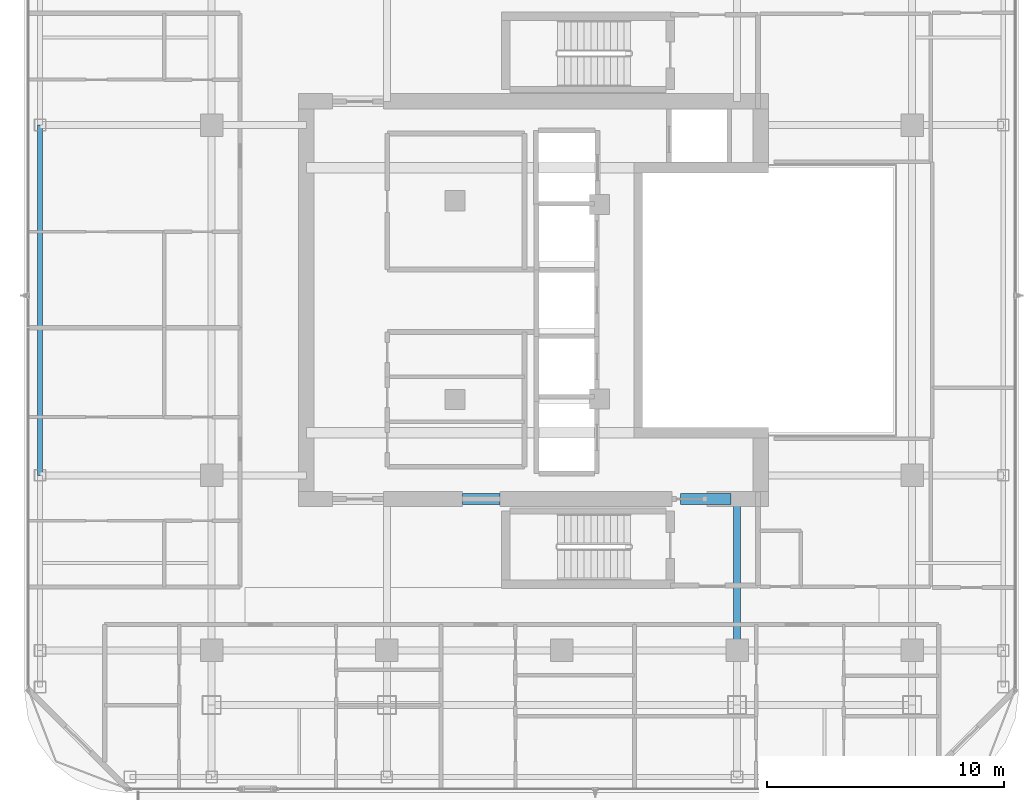
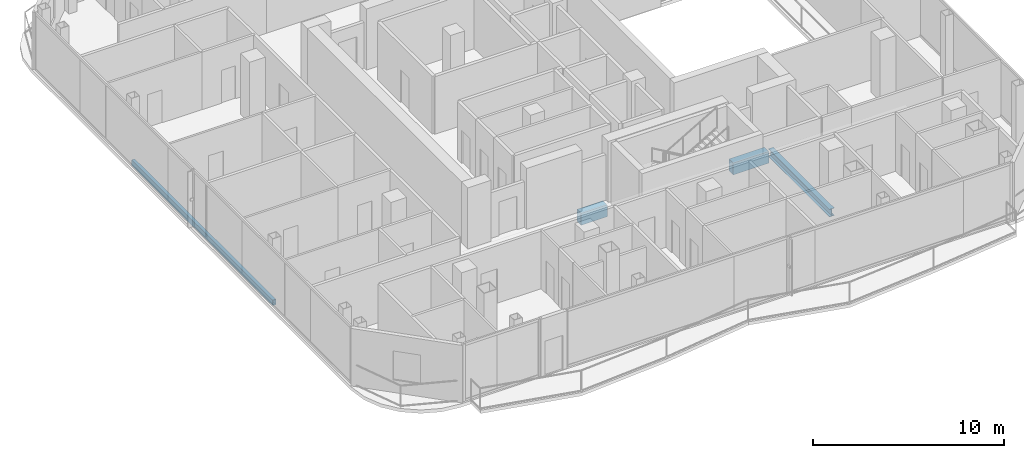
# One storey, part 5 of 26: 4 beams.
"""IFC4 building model written with IfcOpenShell, lengths in metres."""

import ifcopenshell
import ifcopenshell.guid

model = None  # the IFC model being written
_history = None  # IfcOwnerHistory: only IFC2X3 demands one
_inside = {}  # id of a spatial element -> (the spatial element, [elements in it])
_under = {}  # id of a project, library or spatial element -> (it, [spatial elements below it])
_declared = {}  # id of a project -> (the project, [libraries it declares])
_typed = {}  # id of a type object -> (the type object, [elements of that type])
_made_of = {}  # id of a material, layer set ... -> (it, [elements and type objects made of it])


def new_model(schema):
    """Start an empty IFC model of exactly this schema.

    Asked for "IFC4X3", IfcOpenShell would pick the latest addendum, in which some entities
    have other attributes; the version numbers below select the first issue.
    IFC2X3 requires an IfcOwnerHistory on every rooted entity: one is made here for all.
    """
    global model, _history
    if schema == "IFC4X3":
        model = ifcopenshell.file(schema_version=(4, 3, 0, 0))
    else:
        model = ifcopenshell.file(schema=schema)
    _inside.clear()
    _under.clear()
    _declared.clear()
    _typed.clear()
    _made_of.clear()
    _history = None
    if model.schema == "IFC2X3":
        org = make("IfcOrganization", Name="unknown")
        user = make(
            "IfcPersonAndOrganization",
            ThePerson=make("IfcPerson", FamilyName="unknown"),
            TheOrganization=org,
        )
        app = make(
            "IfcApplication",
            ApplicationDeveloper=org,
            Version="unknown",
            ApplicationFullName="unknown",
            ApplicationIdentifier="unknown",
        )
        _history = make(
            "IfcOwnerHistory",
            OwningUser=user,
            OwningApplication=app,
            ChangeAction="ADDED",
            CreationDate=0,
        )
    return model


def make(cls, **values):
    """One entity of the class cls with the attributes given. An attribute that is None is left unset."""
    return model.create_entity(
        cls, **{name: value for name, value in values.items() if value is not None}
    )


def rooted(cls, **values):
    """An entity with a GlobalId (a new one), such as an element, a storey or a relation."""
    return make(cls, GlobalId=ifcopenshell.guid.new(), OwnerHistory=_history, **values)


def si_unit(unit_type, name, prefix=None):
    """IfcSIUnit, for example si_unit("LENGTHUNIT", "METRE", prefix="MILLI")."""
    return make("IfcSIUnit", UnitType=unit_type, Prefix=prefix, Name=name)


def assignment(units):
    """IfcUnitAssignment: the units of a project."""
    return None if units is None else make("IfcUnitAssignment", Units=units)


def point(xyz):
    """IfcCartesianPoint."""
    return None if xyz is None else make("IfcCartesianPoint", Coordinates=xyz)


def direction(xyz):
    """IfcDirection."""
    return None if xyz is None else make("IfcDirection", DirectionRatios=xyz)


def frame(location, z_axis=None, x_axis=None):
    """IfcAxis2Placement3D, a coordinate frame: its origin and axes. An axis left out is left unset."""
    return make(
        "IfcAxis2Placement3D",
        Location=point(location),
        Axis=direction(z_axis),
        RefDirection=direction(x_axis),
    )


def frame_2d(location, x_axis=None):
    """IfcAxis2Placement2D, a coordinate frame in the plane: its origin and x axis."""
    return make(
        "IfcAxis2Placement2D", Location=point(location), RefDirection=direction(x_axis)
    )


def origin():
    """The frame at (0, 0, 0) with its axes left unset."""
    return frame((0.0, 0.0, 0.0))


def origin_2d():
    """The frame at (0, 0) in the plane with its x axis left unset."""
    return frame_2d((0.0, 0.0))


def place(relative_to, where):
    """IfcLocalPlacement: puts the frame where relative to a parent placement (None: the world)."""
    return make(
        "IfcLocalPlacement", PlacementRelTo=relative_to, RelativePlacement=where
    )


def context(
    kind, dimensions, precision=None, world=None, true_north=None, identifier=None
):
    """IfcGeometricRepresentationContext, for example the 3D "Model" context."""
    return make(
        "IfcGeometricRepresentationContext",
        ContextIdentifier=identifier,
        ContextType=kind,
        CoordinateSpaceDimension=dimensions,
        Precision=precision,
        WorldCoordinateSystem=world,
        TrueNorth=true_north,
    )


def subcontext(parent, identifier, kind, view, scale=None):
    """IfcGeometricRepresentationSubContext, for example "Body" below "Model"."""
    return make(
        "IfcGeometricRepresentationSubContext",
        ContextIdentifier=identifier,
        ContextType=kind,
        ParentContext=parent,
        TargetScale=scale,
        TargetView=view,
    )


def project(units=None, contexts=None):
    """IfcProject with its units and contexts."""
    return rooted(
        "IfcProject",
        Name="project",
        RepresentationContexts=contexts,
        UnitsInContext=assignment(units),
    )


def spatial(cls, under=None, at=None, **own):
    """A site, building, storey or space (cls), placed at a placement, below another one or the project."""
    s = rooted(cls, ObjectPlacement=at, **own)
    if under is not None:
        _under.setdefault(under.id(), (under, []))[1].append(s)
    return s


def profile(cls, at=None, kind="AREA", **sizes):
    """A parametric profile (cls). Its sizes go by their IFC names, for example OverallWidth=200.0."""
    return make(cls, ProfileType=kind, Position=at, **sizes)


def rectangle(**sizes):
    """IfcRectangleProfileDef."""
    return profile("IfcRectangleProfileDef", **sizes)


def hollow_rectangle(**sizes):
    """IfcRectangleHollowProfileDef."""
    return profile("IfcRectangleHollowProfileDef", **sizes)


def i_section(**sizes):
    """IfcIShapeProfileDef."""
    return profile("IfcIShapeProfileDef", **sizes)


def extrude(swept, where, along, depth):
    """IfcExtrudedAreaSolid: the profile swept, set in the frame where, extruded along a direction by depth."""
    return make(
        "IfcExtrudedAreaSolid",
        SweptArea=swept,
        Position=where,
        ExtrudedDirection=direction(along),
        Depth=depth,
    )


def shape(context_of_items, identifier, shape_type, items):
    """IfcShapeRepresentation: the items that make up one representation, for example the "Body"."""
    return make(
        "IfcShapeRepresentation",
        ContextOfItems=context_of_items,
        RepresentationIdentifier=identifier,
        RepresentationType=shape_type,
        Items=items,
    )


def material(Name=None, Category=None):
    """IfcMaterial."""
    return make("IfcMaterial", Name=Name, Category=Category)


def material_profile(
    of_material, cross_section, Name=None, Category=None, Priority=None
):
    """IfcMaterialProfile: a cross section and its material."""
    return make(
        "IfcMaterialProfile",
        Name=Name,
        Material=of_material,
        Profile=cross_section,
        Priority=Priority,
        Category=Category,
    )


def profile_set(profiles, Name=None, composite=None):
    """IfcMaterialProfileSet."""
    return make(
        "IfcMaterialProfileSet",
        Name=Name,
        MaterialProfiles=profiles,
        CompositeProfile=composite,
    )


def made_of(thing, what):
    """Note that an element or type object is made of a material, layer set ...; save() writes the relation."""
    if what is not None:
        _made_of.setdefault(what.id(), (what, []))[1].append(thing)
    return thing


def type_object(cls, material=None, **own):
    """A type object (cls), such as IfcWallType, which elements share."""
    return made_of(rooted(cls, **own), material)


def element(
    cls,
    number,
    at=None,
    inside=None,
    cuts=None,
    type_object=None,
    material=None,
    context=None,
    identifier="Body",
    shape_type=None,
    held_by="IfcProductDefinitionShape",
    body=None,
    shapes=None,
    **own,
):
    """One element of the class cls, such as IfcWall. Its Tag is "e" and its number.

    at: its placement. inside: the storey or other place that contains it. cuts: it is an
    opening in that element (IfcRelVoidsElement). A single representation is given by context,
    identifier, shape_type and body (its items); several are given by shapes. held_by: the class
    of the entity that holds the representations. save() writes the other relations.
    """
    e = rooted(cls, Tag="e%d" % number, ObjectPlacement=at, **own)
    if body is not None:
        shapes = [shape(context, identifier, shape_type, body)]
    if shapes is not None:
        e.Representation = make(held_by, Representations=shapes)
    if inside is not None:
        _inside.setdefault(inside.id(), (inside, []))[1].append(e)
    if cuts is not None:
        rooted(
            "IfcRelVoidsElement", RelatingBuildingElement=cuts, RelatedOpeningElement=e
        )
    if type_object is not None:
        _typed.setdefault(type_object.id(), (type_object, []))[1].append(e)
    return made_of(e, material)


def aggregate(whole, parts):
    """IfcRelAggregates: a whole, such as a stair, and the parts it consists of."""
    return rooted("IfcRelAggregates", RelatingObject=whole, RelatedObjects=parts)


def save(model, path):
    """Write the relations noted so far, then the file.

    IfcRelAggregates (storeys below a building ...), IfcRelContainedInSpatialStructure (elements
    in a storey), IfcRelDefinesByType, IfcRelAssociatesMaterial and IfcRelDeclares: one each for
    every whole, place, type object, material and project.
    """
    for whole, parts in _under.values():
        aggregate(whole, parts)
    for where, things in _inside.values():
        rooted(
            "IfcRelContainedInSpatialStructure",
            RelatedElements=things,
            RelatingStructure=where,
        )
    for kind, things in _typed.values():
        rooted("IfcRelDefinesByType", RelatedObjects=things, RelatingType=kind)
    for what, things in _made_of.values():
        rooted("IfcRelAssociatesMaterial", RelatedObjects=things, RelatingMaterial=what)
    for by, libraries in _declared.values():
        rooted("IfcRelDeclares", RelatingContext=by, RelatedDefinitions=libraries)
    model.write(path)


model = new_model("IFC4")

# Units and contexts
model_context = context("Model", 3, precision=1e-05, world=origin(), true_north=direction((0.0, 1.0)))
body_context = subcontext(model_context, "Body", "Model", "MODEL_VIEW")
ifc_project = project(units=[si_unit("LENGTHUNIT", "METRE"), si_unit("AREAUNIT", "SQUARE_METRE"), si_unit("VOLUMEUNIT", "CUBIC_METRE"), si_unit("PLANEANGLEUNIT", "RADIAN"), si_unit("MASSUNIT", "GRAM", prefix="KILO")], contexts=[model_context])

# Site, building, storey
site_placement = place(None, origin())
site = spatial("IfcSite", under=ifc_project, at=site_placement, CompositionType="ELEMENT")
building_placement = place(site_placement, origin())
building = spatial("IfcBuilding", under=site, at=building_placement, Name="Khorvyn Point Tower", CompositionType="ELEMENT")
storey_placement = place(building_placement, frame((0.0, 0.0, 289.800048828125)))
storey = spatial("IfcBuildingStorey", under=building, at=storey_placement, Name="L71", CompositionType="ELEMENT", Elevation=289.800048828125)

# Beams
ifc_material_1 = material(Name="Concrete C40/50", Category="concrete")
ifc_material_profile_1 = material_profile(ifc_material_1, rectangle(XDim=0.449951171875, YDim=0.75, at=origin_2d()))
ifc_profile_set_1 = profile_set([ifc_material_profile_1], Name="Concrete C40/50 RC450x750")
beam_type_1 = type_object("IfcBeamType", Name="Concrete C40/50 Beam RC450x750", PredefinedType="BEAM", material=ifc_profile_set_1)
beam_1_placement = place(storey_placement, frame((-4.199951171875, -8.39990234375, -0.594970703125), z_axis=(1.0, 0.0, 0.0), x_axis=(0.0, 1.0, 0.0)))
element("IfcBeam", 1, at=beam_1_placement, inside=storey, type_object=beam_type_1, Name="L71 Core Shuttle Portal Coupling Beam", PredefinedType="BEAM", context=body_context, shape_type="SweptSolid", body=[
    extrude(rectangle(XDim=0.449951171875, YDim=0.75, at=origin_2d()), origin(), (0.0, 0.0, 1.0), 1.579833984375),
])
beam_2_placement = place(storey_placement, frame((5.0, -8.39990234375, -0.594970703125), z_axis=(1.0, 0.0, 0.0), x_axis=(0.0, 1.0, 0.0)))
element("IfcBeam", 2, at=beam_2_placement, inside=storey, type_object=beam_type_1, Name="L71 Core Southeast Portal Coupling Beam", PredefinedType="BEAM", context=body_context, shape_type="SweptSolid", body=[
    extrude(rectangle(XDim=0.449951171875, YDim=0.75, at=origin_2d()), origin(), (0.0, 0.0, 1.0), 2.14990234375),
])
ifc_material_2 = material(Name="Steel S355", Category="steel")
ifc_material_profile_2 = material_profile(ifc_material_2, i_section(OverallWidth=0.300048828125, OverallDepth=0.488037109375, WebThickness=0.010986328125, FlangeThickness=0.01806640625, at=origin_2d()))
ifc_profile_set_2 = profile_set([ifc_material_profile_2], Name="Steel S355 H488x300x11x18")
beam_type_2 = type_object("IfcBeamType", Name="Steel S355 Spandrel H488x300x11x18", PredefinedType="SPANDREL", material=ifc_profile_set_2)
beam_3_placement = place(storey_placement, frame((7.39990234375, -14.800048828125, -0.464111328125), z_axis=(0.0, 1.0, 0.0), x_axis=(-1.0, 0.0, 0.0)))
element("IfcBeam", 3, at=beam_3_placement, inside=storey, type_object=beam_type_2, Name="Beam", PredefinedType="SPANDREL", context=body_context, shape_type="SweptSolid", body=[
    extrude(i_section(OverallWidth=0.300048828125, OverallDepth=0.488037109375, WebThickness=0.010986328125, FlangeThickness=0.01806640625, at=origin_2d()), origin(), (0.0, 0.0, 1.0), 6.400146484375),
])
ifc_material_profile_3 = material_profile(ifc_material_2, hollow_rectangle(XDim=0.199951171875, YDim=0.35009765625, WallThickness=0.013916015625, at=origin_2d()))
ifc_profile_set_3 = profile_set([ifc_material_profile_3], Name="Steel S355 RHS350x200x14")
beam_type_3 = type_object("IfcBeamType", Name="Steel S355 Spandrel RHS350x200x14", PredefinedType="SPANDREL", material=ifc_profile_set_3)
beam_4_placement = place(storey_placement, frame((-22.050048828125, -7.39990234375, -0.39501953125), z_axis=(0.0, 1.0, 0.0), x_axis=(-1.0, 0.0, 0.0)))
element("IfcBeam", 4, at=beam_4_placement, inside=storey, type_object=beam_type_3, Name="Beam", PredefinedType="SPANDREL", context=body_context, shape_type="SweptSolid", body=[
    extrude(hollow_rectangle(XDim=0.199951171875, YDim=0.35009765625, WallThickness=0.013916015625, at=origin_2d()), origin(), (0.0, 0.0, 1.0), 14.7998046875),
])

save(model, "model.ifc")
